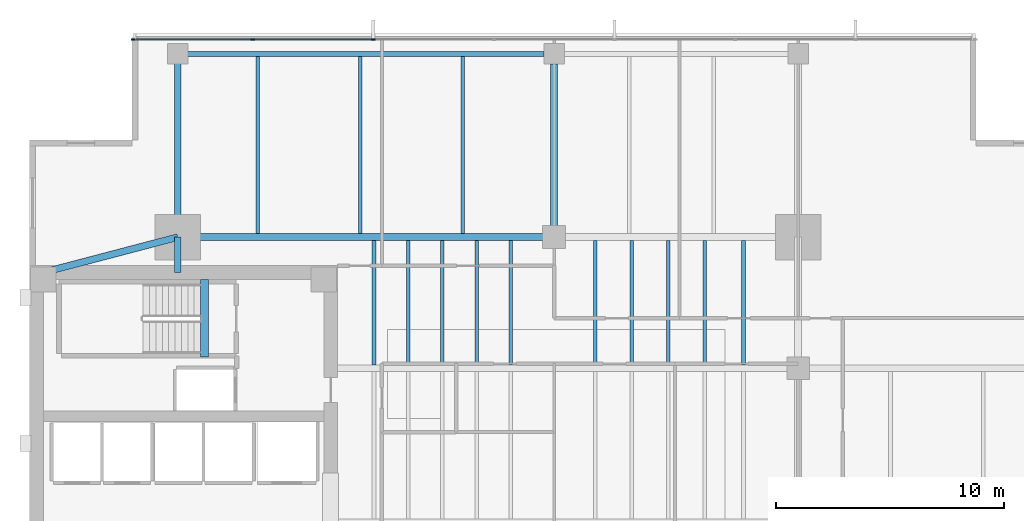
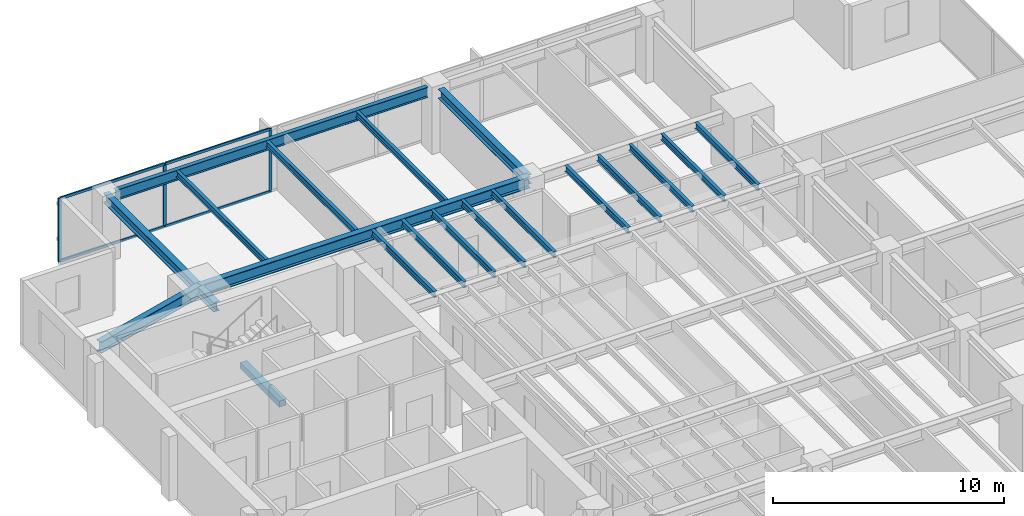
# One storey, part 5 of 14: 20 beams, 7 members, 1 element without a shape of its own.
"""IFC4 building model written with IfcOpenShell, lengths in metres."""

import ifcopenshell
import ifcopenshell.guid

model = None  # the IFC model being written
_history = None  # IfcOwnerHistory: only IFC2X3 demands one
_inside = {}  # id of a spatial element -> (the spatial element, [elements in it])
_under = {}  # id of a project, library or spatial element -> (it, [spatial elements below it])
_declared = {}  # id of a project -> (the project, [libraries it declares])
_typed = {}  # id of a type object -> (the type object, [elements of that type])
_made_of = {}  # id of a material, layer set ... -> (it, [elements and type objects made of it])


def new_model(schema):
    """Start an empty IFC model of exactly this schema.

    Asked for "IFC4X3", IfcOpenShell would pick the latest addendum, in which some entities
    have other attributes; the version numbers below select the first issue.
    IFC2X3 requires an IfcOwnerHistory on every rooted entity: one is made here for all.
    """
    global model, _history
    if schema == "IFC4X3":
        model = ifcopenshell.file(schema_version=(4, 3, 0, 0))
    else:
        model = ifcopenshell.file(schema=schema)
    _inside.clear()
    _under.clear()
    _declared.clear()
    _typed.clear()
    _made_of.clear()
    _history = None
    if model.schema == "IFC2X3":
        org = make("IfcOrganization", Name="unknown")
        user = make(
            "IfcPersonAndOrganization",
            ThePerson=make("IfcPerson", FamilyName="unknown"),
            TheOrganization=org,
        )
        app = make(
            "IfcApplication",
            ApplicationDeveloper=org,
            Version="unknown",
            ApplicationFullName="unknown",
            ApplicationIdentifier="unknown",
        )
        _history = make(
            "IfcOwnerHistory",
            OwningUser=user,
            OwningApplication=app,
            ChangeAction="ADDED",
            CreationDate=0,
        )
    return model


def make(cls, **values):
    """One entity of the class cls with the attributes given. An attribute that is None is left unset."""
    return model.create_entity(
        cls, **{name: value for name, value in values.items() if value is not None}
    )


def rooted(cls, **values):
    """An entity with a GlobalId (a new one), such as an element, a storey or a relation."""
    return make(cls, GlobalId=ifcopenshell.guid.new(), OwnerHistory=_history, **values)


def si_unit(unit_type, name, prefix=None):
    """IfcSIUnit, for example si_unit("LENGTHUNIT", "METRE", prefix="MILLI")."""
    return make("IfcSIUnit", UnitType=unit_type, Prefix=prefix, Name=name)


def assignment(units):
    """IfcUnitAssignment: the units of a project."""
    return None if units is None else make("IfcUnitAssignment", Units=units)


def point(xyz):
    """IfcCartesianPoint."""
    return None if xyz is None else make("IfcCartesianPoint", Coordinates=xyz)


def direction(xyz):
    """IfcDirection."""
    return None if xyz is None else make("IfcDirection", DirectionRatios=xyz)


def frame(location, z_axis=None, x_axis=None):
    """IfcAxis2Placement3D, a coordinate frame: its origin and axes. An axis left out is left unset."""
    return make(
        "IfcAxis2Placement3D",
        Location=point(location),
        Axis=direction(z_axis),
        RefDirection=direction(x_axis),
    )


def frame_2d(location, x_axis=None):
    """IfcAxis2Placement2D, a coordinate frame in the plane: its origin and x axis."""
    return make(
        "IfcAxis2Placement2D", Location=point(location), RefDirection=direction(x_axis)
    )


def origin():
    """The frame at (0, 0, 0) with its axes left unset."""
    return frame((0.0, 0.0, 0.0))


def origin_2d():
    """The frame at (0, 0) in the plane with its x axis left unset."""
    return frame_2d((0.0, 0.0))


def place(relative_to, where):
    """IfcLocalPlacement: puts the frame where relative to a parent placement (None: the world)."""
    return make(
        "IfcLocalPlacement", PlacementRelTo=relative_to, RelativePlacement=where
    )


def context(
    kind, dimensions, precision=None, world=None, true_north=None, identifier=None
):
    """IfcGeometricRepresentationContext, for example the 3D "Model" context."""
    return make(
        "IfcGeometricRepresentationContext",
        ContextIdentifier=identifier,
        ContextType=kind,
        CoordinateSpaceDimension=dimensions,
        Precision=precision,
        WorldCoordinateSystem=world,
        TrueNorth=true_north,
    )


def subcontext(parent, identifier, kind, view, scale=None):
    """IfcGeometricRepresentationSubContext, for example "Body" below "Model"."""
    return make(
        "IfcGeometricRepresentationSubContext",
        ContextIdentifier=identifier,
        ContextType=kind,
        ParentContext=parent,
        TargetScale=scale,
        TargetView=view,
    )


def project(units=None, contexts=None):
    """IfcProject with its units and contexts."""
    return rooted(
        "IfcProject",
        Name="project",
        RepresentationContexts=contexts,
        UnitsInContext=assignment(units),
    )


def spatial(cls, under=None, at=None, **own):
    """A site, building, storey or space (cls), placed at a placement, below another one or the project."""
    s = rooted(cls, ObjectPlacement=at, **own)
    if under is not None:
        _under.setdefault(under.id(), (under, []))[1].append(s)
    return s


def profile(cls, at=None, kind="AREA", **sizes):
    """A parametric profile (cls). Its sizes go by their IFC names, for example OverallWidth=200.0."""
    return make(cls, ProfileType=kind, Position=at, **sizes)


def rectangle(**sizes):
    """IfcRectangleProfileDef."""
    return profile("IfcRectangleProfileDef", **sizes)


def i_section(**sizes):
    """IfcIShapeProfileDef."""
    return profile("IfcIShapeProfileDef", **sizes)


def extrude(swept, where, along, depth):
    """IfcExtrudedAreaSolid: the profile swept, set in the frame where, extruded along a direction by depth."""
    return make(
        "IfcExtrudedAreaSolid",
        SweptArea=swept,
        Position=where,
        ExtrudedDirection=direction(along),
        Depth=depth,
    )


def shape(context_of_items, identifier, shape_type, items):
    """IfcShapeRepresentation: the items that make up one representation, for example the "Body"."""
    return make(
        "IfcShapeRepresentation",
        ContextOfItems=context_of_items,
        RepresentationIdentifier=identifier,
        RepresentationType=shape_type,
        Items=items,
    )


def material(Name=None, Category=None):
    """IfcMaterial."""
    return make("IfcMaterial", Name=Name, Category=Category)


def layer(
    of_material, thickness, ventilated=None, Name=None, Category=None, Priority=None
):
    """IfcMaterialLayer: one layer of a wall or slab, of a material (None: an air gap)."""
    return make(
        "IfcMaterialLayer",
        Material=of_material,
        LayerThickness=thickness,
        IsVentilated=ventilated,
        Name=Name,
        Category=Category,
        Priority=Priority,
    )


def layer_set(layers, Name=None):
    """IfcMaterialLayerSet."""
    return make("IfcMaterialLayerSet", MaterialLayers=layers, LayerSetName=Name)


def material_profile(
    of_material, cross_section, Name=None, Category=None, Priority=None
):
    """IfcMaterialProfile: a cross section and its material."""
    return make(
        "IfcMaterialProfile",
        Name=Name,
        Material=of_material,
        Profile=cross_section,
        Priority=Priority,
        Category=Category,
    )


def profile_set(profiles, Name=None, composite=None):
    """IfcMaterialProfileSet."""
    return make(
        "IfcMaterialProfileSet",
        Name=Name,
        MaterialProfiles=profiles,
        CompositeProfile=composite,
    )


def made_of(thing, what):
    """Note that an element or type object is made of a material, layer set ...; save() writes the relation."""
    if what is not None:
        _made_of.setdefault(what.id(), (what, []))[1].append(thing)
    return thing


def type_object(cls, material=None, **own):
    """A type object (cls), such as IfcWallType, which elements share."""
    return made_of(rooted(cls, **own), material)


def element(
    cls,
    number,
    at=None,
    inside=None,
    cuts=None,
    type_object=None,
    material=None,
    context=None,
    identifier="Body",
    shape_type=None,
    held_by="IfcProductDefinitionShape",
    body=None,
    shapes=None,
    **own,
):
    """One element of the class cls, such as IfcWall. Its Tag is "e" and its number.

    at: its placement. inside: the storey or other place that contains it. cuts: it is an
    opening in that element (IfcRelVoidsElement). A single representation is given by context,
    identifier, shape_type and body (its items); several are given by shapes. held_by: the class
    of the entity that holds the representations. save() writes the other relations.
    """
    e = rooted(cls, Tag="e%d" % number, ObjectPlacement=at, **own)
    if body is not None:
        shapes = [shape(context, identifier, shape_type, body)]
    if shapes is not None:
        e.Representation = make(held_by, Representations=shapes)
    if inside is not None:
        _inside.setdefault(inside.id(), (inside, []))[1].append(e)
    if cuts is not None:
        rooted(
            "IfcRelVoidsElement", RelatingBuildingElement=cuts, RelatedOpeningElement=e
        )
    if type_object is not None:
        _typed.setdefault(type_object.id(), (type_object, []))[1].append(e)
    return made_of(e, material)


def aggregate(whole, parts):
    """IfcRelAggregates: a whole, such as a stair, and the parts it consists of."""
    return rooted("IfcRelAggregates", RelatingObject=whole, RelatedObjects=parts)


def save(model, path):
    """Write the relations noted so far, then the file.

    IfcRelAggregates (storeys below a building ...), IfcRelContainedInSpatialStructure (elements
    in a storey), IfcRelDefinesByType, IfcRelAssociatesMaterial and IfcRelDeclares: one each for
    every whole, place, type object, material and project.
    """
    for whole, parts in _under.values():
        aggregate(whole, parts)
    for where, things in _inside.values():
        rooted(
            "IfcRelContainedInSpatialStructure",
            RelatedElements=things,
            RelatingStructure=where,
        )
    for kind, things in _typed.values():
        rooted("IfcRelDefinesByType", RelatedObjects=things, RelatingType=kind)
    for what, things in _made_of.values():
        rooted("IfcRelAssociatesMaterial", RelatedObjects=things, RelatingMaterial=what)
    for by, libraries in _declared.values():
        rooted("IfcRelDeclares", RelatingContext=by, RelatedDefinitions=libraries)
    model.write(path)


model = new_model("IFC4")

# Units and contexts
model_context = context("Model", 3, precision=1e-05, world=origin(), true_north=direction((0.0, 1.0)))
body_context = subcontext(model_context, "Body", "Model", "MODEL_VIEW")
ifc_project = project(units=[si_unit("LENGTHUNIT", "METRE"), si_unit("AREAUNIT", "SQUARE_METRE"), si_unit("VOLUMEUNIT", "CUBIC_METRE"), si_unit("PLANEANGLEUNIT", "RADIAN"), si_unit("MASSUNIT", "GRAM", prefix="KILO")], contexts=[model_context])

# Site, building, storey
site_placement = place(None, origin())
site = spatial("IfcSite", under=ifc_project, at=site_placement, CompositionType="ELEMENT")
building_placement = place(site_placement, origin())
building = spatial("IfcBuilding", under=site, at=building_placement, Name="Kinhvarn Gate Tower", CompositionType="ELEMENT")
storey_placement = place(building_placement, frame((0.0, 0.0, 123.550048828125)))
storey = spatial("IfcBuildingStorey", under=building, at=storey_placement, Name="L32", CompositionType="ELEMENT", Elevation=123.550048828125)

# Beam
ifc_material_1 = material(Name="Concrete C50/60", Category="concrete")
ifc_material_profile_1 = material_profile(ifc_material_1, rectangle(XDim=0.340087890625, YDim=0.320068359375, at=origin_2d()), Name="RC 340x320")
ifc_profile_set_1 = profile_set([ifc_material_profile_1], Name="Concrete C50/60")
beam_type_1 = type_object("IfcBeamType", Name="BM-LND-500", PredefinedType="BEAM", material=ifc_profile_set_1)
beam_1_placement = place(storey_placement, frame((12.1650390625, 32.5, -0.16015625), z_axis=(0.0, 1.0, 0.0), x_axis=(-1.0, 0.0, 0.0)))
element("IfcBeam", 1, at=beam_1_placement, inside=storey, type_object=beam_type_1, Name="Stair ST2 Landing Nosing Beam (L32)", PredefinedType="BEAM", context=body_context, shape_type="SweptSolid", body=[
    extrude(rectangle(XDim=0.340087890625, YDim=0.320068359375, at=origin_2d()), origin(), (0.0, 0.0, 1.0), 3.39990234375),
])

# Curtain wall, members
ifc_material_2 = material(Name="Anodised aluminium AW-6063", Category="aluminium")
ifc_layer = layer(ifc_material_2, 0.179931640625)
ifc_layer_set = layer_set([ifc_layer], Name="Anodised aluminium AW-6063")
curtain_wall_type = type_object("IfcCurtainWallType", Name="CW-SYS-3", PredefinedType="NOTDEFINED", material=ifc_layer_set)
curtain_wall_placement = place(storey_placement, origin())
curtain_wall = element("IfcCurtainWall", 2, at=curtain_wall_placement, inside=storey, type_object=curtain_wall_type, Name="Curtain Wall CW3 (L32)", PredefinedType="NOTDEFINED")
ifc_material_profile_2 = material_profile(ifc_material_2, rectangle(XDim=0.06494140625, YDim=0.159912109375, at=origin_2d()), Name="ALU 65x160")
ifc_profile_set_2 = profile_set([ifc_material_profile_2], Name="Anodised aluminium AW-6063")
member_type_1 = type_object("IfcMemberType", Name="CW-MUL-160", PredefinedType="MULLION", material=ifc_profile_set_2)
member_1_placement = place(storey_placement, frame((19.571533203125, 46.409912109375, 0.0), z_axis=(0.0, 0.0, 1.0), x_axis=(0.0, -1.0, 0.0)))
member_1 = element("IfcMember", 3, at=member_1_placement, type_object=member_type_1, Name="CW3 mullion 6", PredefinedType="MULLION", context=body_context, shape_type="SweptSolid", body=[
    extrude(rectangle(XDim=0.06494140625, YDim=0.159912109375, at=origin_2d()), origin(), (0.0, 0.0, 1.0), 3.369873046875),
])
member_2_placement = place(storey_placement, frame((14.28564453125, 46.409912109375, 0.0), z_axis=(0.0, 0.0, 1.0), x_axis=(0.0, -1.0, 0.0)))
member_2 = element("IfcMember", 4, at=member_2_placement, type_object=member_type_1, Name="CW3 mullion 7", PredefinedType="MULLION", context=body_context, shape_type="SweptSolid", body=[
    extrude(rectangle(XDim=0.06494140625, YDim=0.159912109375, at=origin_2d()), origin(), (0.0, 0.0, 1.0), 3.369873046875),
])
member_3_placement = place(storey_placement, frame((9.032470703125, 46.409912109375, 0.0), z_axis=(0.0, 0.0, 1.0), x_axis=(0.0, -1.0, 0.0)))
member_3 = element("IfcMember", 5, at=member_3_placement, type_object=member_type_1, Name="CW3 mullion 8", PredefinedType="MULLION", context=body_context, shape_type="SweptSolid", body=[
    extrude(rectangle(XDim=0.06494140625, YDim=0.159912109375, at=origin_2d()), origin(), (0.0, 0.0, 1.0), 3.369873046875),
])
ifc_material_profile_3 = material_profile(ifc_material_2, rectangle(XDim=0.070068359375, YDim=0.139892578125, at=origin_2d()), Name="ALU 70x140")
ifc_profile_set_3 = profile_set([ifc_material_profile_3], Name="Anodised aluminium AW-6063")
member_type_2 = type_object("IfcMemberType", Name="CW-TRN-140", PredefinedType="USERDEFINED", material=ifc_profile_set_3)
member_4_placement = place(storey_placement, frame((19.538818359375, 46.409912109375, 0.034912109375), z_axis=(-1.0, 0.0, 0.0), x_axis=(0.0, -1.0, 0.0)))
member_4 = element("IfcMember", 6, at=member_4_placement, type_object=member_type_2, Name="CW3 transom 6.1", ObjectType="TRANSOM", PredefinedType="USERDEFINED", context=body_context, shape_type="SweptSolid", body=[
    extrude(rectangle(XDim=0.070068359375, YDim=0.139892578125, at=origin_2d()), origin(), (0.0, 0.0, 1.0), 5.220703125),
])
member_5_placement = place(storey_placement, frame((19.538818359375, 46.409912109375, 3.3349609375), z_axis=(-1.0, 0.0, 0.0), x_axis=(0.0, -1.0, 0.0)))
member_5 = element("IfcMember", 7, at=member_5_placement, type_object=member_type_2, Name="CW3 transom 6.2", ObjectType="TRANSOM", PredefinedType="USERDEFINED", context=body_context, shape_type="SweptSolid", body=[
    extrude(rectangle(XDim=0.070068359375, YDim=0.139892578125, at=origin_2d()), origin(), (0.0, 0.0, 1.0), 5.220703125),
])
member_6_placement = place(storey_placement, frame((14.253173828125, 46.409912109375, 0.034912109375), z_axis=(-1.0, 0.0, 0.0), x_axis=(0.0, -1.0, 0.0)))
member_6 = element("IfcMember", 8, at=member_6_placement, type_object=member_type_2, Name="CW3 transom 7.1", ObjectType="TRANSOM", PredefinedType="USERDEFINED", context=body_context, shape_type="SweptSolid", body=[
    extrude(rectangle(XDim=0.070068359375, YDim=0.139892578125, at=origin_2d()), origin(), (0.0, 0.0, 1.0), 5.188232421875),
])
member_7_placement = place(storey_placement, frame((14.253173828125, 46.409912109375, 3.3349609375), z_axis=(-1.0, 0.0, 0.0), x_axis=(0.0, -1.0, 0.0)))
member_7 = element("IfcMember", 9, at=member_7_placement, type_object=member_type_2, Name="CW3 transom 7.2", ObjectType="TRANSOM", PredefinedType="USERDEFINED", context=body_context, shape_type="SweptSolid", body=[
    extrude(rectangle(XDim=0.070068359375, YDim=0.139892578125, at=origin_2d()), origin(), (0.0, 0.0, 1.0), 5.188232421875),
])
aggregate(curtain_wall, [member_1, member_2, member_3, member_4, member_5, member_6, member_7])

# Beams
ifc_material_3 = material(Name="Steel S355", Category="steel")
ifc_material_profile_4 = material_profile(ifc_material_3, i_section(OverallWidth=0.300048828125, OverallDepth=0.5, WebThickness=0.014404296875, FlangeThickness=0.028076171875, at=origin_2d()), Name="HEB 500")
ifc_profile_set_4 = profile_set([ifc_material_profile_4], Name="Steel S355")
beam_type_2 = type_object("IfcBeamType", Name="STL-HEB500", PredefinedType="BEAM", material=ifc_profile_set_4)
beam_2_placement = place(storey_placement, frame((11.0, 36.199951171875, 3.119873046875), z_axis=(0.0, 1.0, 0.0), x_axis=(-1.0, 0.0, 0.0)))
element("IfcBeam", 10, at=beam_2_placement, inside=storey, type_object=beam_type_2, Name="Floor Beam PG-14 (L32 MCW-CN)", PredefinedType="BEAM", context=body_context, shape_type="SweptSolid", body=[
    extrude(i_section(OverallWidth=0.300048828125, OverallDepth=0.5, WebThickness=0.014404296875, FlangeThickness=0.028076171875, at=origin_2d()), origin(), (0.0, 0.0, 1.0), 1.550048828125),
])
beam_3_placement = place(storey_placement, frame((11.0, 37.75, 3.119873046875), z_axis=(0.0, 1.0, 0.0), x_axis=(-1.0, 0.0, 0.0)))
element("IfcBeam", 11, at=beam_3_placement, inside=storey, type_object=beam_type_2, Name="Floor Beam PG-14 (L32 MCW-N)", PredefinedType="BEAM", context=body_context, shape_type="SweptSolid", body=[
    extrude(i_section(OverallWidth=0.300048828125, OverallDepth=0.5, WebThickness=0.014404296875, FlangeThickness=0.028076171875, at=origin_2d()), origin(), (0.0, 0.0, 1.0), 8.030029296875),
])
beam_4_placement = place(storey_placement, frame((27.5, 37.75, 3.119873046875), z_axis=(0.0, 1.0, 0.0), x_axis=(-1.0, 0.0, 0.0)))
element("IfcBeam", 12, at=beam_4_placement, inside=storey, type_object=beam_type_2, Name="Floor Beam PG-14 (L32 SP27-N-TIE)", PredefinedType="BEAM", context=body_context, shape_type="SweptSolid", body=[
    extrude(i_section(OverallWidth=0.300048828125, OverallDepth=0.5, WebThickness=0.014404296875, FlangeThickness=0.028076171875, at=origin_2d()), origin(), (0.0, 0.0, 1.0), 7.594970703125),
])
ifc_material_profile_5 = material_profile(ifc_material_3, i_section(OverallWidth=0.300048828125, OverallDepth=0.60009765625, WebThickness=0.015380859375, FlangeThickness=0.030029296875, at=origin_2d()), Name="HEB 600")
ifc_profile_set_5 = profile_set([ifc_material_profile_5], Name="Steel S355")
beam_type_3 = type_object("IfcBeamType", Name="STL-HEB600", PredefinedType="BEAM", material=ifc_profile_set_5)
beam_5_placement = place(storey_placement, frame((11.0, 37.75, 3.070068359375), z_axis=(1.0, 0.0, 0.0), x_axis=(0.0, 1.0, 0.0)))
element("IfcBeam", 13, at=beam_5_placement, inside=storey, type_object=beam_type_3, Name="Floor Beam PG-16 (L32 MG-N1)", PredefinedType="BEAM", context=body_context, shape_type="SweptSolid", body=[
    extrude(i_section(OverallWidth=0.300048828125, OverallDepth=0.60009765625, WebThickness=0.015380859375, FlangeThickness=0.030029296875, at=origin_2d()), origin(), (0.0, 0.0, 1.0), 16.5),
])
beam_6_placement = place(storey_placement, frame((5.10009765625, 36.199951171875, 3.070068359375), z_axis=(0.967177623957, 0.254101246979, 0.0), x_axis=(-0.254101246979, 0.967177623957, 0.0)))
element("IfcBeam", 14, at=beam_6_placement, inside=storey, type_object=beam_type_3, Name="Floor Beam PG-16 (L32 MG-NW-DIAG)", PredefinedType="BEAM", context=body_context, shape_type="SweptSolid", body=[
    extrude(i_section(OverallWidth=0.300048828125, OverallDepth=0.60009765625, WebThickness=0.015380859375, FlangeThickness=0.030029296875, at=origin_2d()), origin(), (0.0, 0.0, 1.0), 6.10009765625),
])
ifc_material_profile_6 = material_profile(ifc_material_3, i_section(OverallWidth=0.159912109375, OverallDepth=0.330078125, WebThickness=0.007568359375, FlangeThickness=0.011474609375, at=origin_2d()), Name="IPE 330")
ifc_profile_set_6 = profile_set([ifc_material_profile_6], Name="Steel S355")
beam_type_4 = type_object("IfcBeamType", Name="STL-IPE330", PredefinedType="JOIST", material=ifc_profile_set_6)
for number, where, z_axis, x_axis, name in (
    (15, (19.60009765625, 32.14990234375, 3.204833984375), (0.0, 1.0, 0.0), (-1.0, 0.0, 0.0), "Floor Joist SB-03 (L32 JC-X196-3)"),
    (16, (21.10009765625, 32.14990234375, 3.204833984375), (0.0, 1.0, 0.0), (-1.0, 0.0, 0.0), "Floor Joist SB-03 (L32 JC-X211-3)"),
    (17, (22.60009765625, 32.14990234375, 3.204833984375), (0.0, 1.0, 0.0), (-1.0, 0.0, 0.0), "Floor Joist SB-03 (L32 JC-X226-3)"),
    (18, (24.10009765625, 32.14990234375, 3.204833984375), (0.0, 1.0, 0.0), (-1.0, 0.0, 0.0), "Floor Joist SB-03 (L32 JC-X241-3)"),
    (19, (25.60009765625, 32.14990234375, 3.204833984375), (0.0, 1.0, 0.0), (-1.0, 0.0, 0.0), "Floor Joist SB-03 (L32 JC-X256-3)"),
    (20, (29.300048828125, 32.14990234375, 3.204833984375), (0.0, 1.0, 0.0), (-1.0, 0.0, 0.0), "Floor Joist SB-03 (L32 JC-X293-3)"),
    (21, (30.89990234375, 32.14990234375, 3.204833984375), (0.0, 1.0, 0.0), (-1.0, 0.0, 0.0), "Floor Joist SB-03 (L32 JC-X309-3)"),
    (22, (32.5, 32.14990234375, 3.204833984375), (0.0, 1.0, 0.0), (-1.0, 0.0, 0.0), "Floor Joist SB-03 (L32 JC-X325-3)"),
    (23, (34.10009765625, 32.14990234375, 3.204833984375), (0.0, 1.0, 0.0), (-1.0, 0.0, 0.0), "Floor Joist SB-03 (L32 JC-X341-3)"),
    (24, (35.800048828125, 32.14990234375, 3.204833984375), (0.0, 1.0, 0.0), (-1.0, 0.0, 0.0), "Floor Joist SB-03 (L32 JC-X358-3)"),
):
    element("IfcBeam", number, at=place(storey_placement, frame(where, z_axis=z_axis, x_axis=x_axis)), inside=storey, type_object=beam_type_4, Name=name, PredefinedType="JOIST", context=body_context, shape_type="SweptSolid", body=[
        extrude(i_section(OverallWidth=0.159912109375, OverallDepth=0.330078125, WebThickness=0.007568359375, FlangeThickness=0.011474609375, at=origin_2d()), origin(), (0.0, 0.0, 1.0), 5.4501953125),
    ])
for number, where, z_axis, x_axis, name in (
    (25, (14.5, 37.89990234375, 3.204833984375), (0.0, 1.0, 0.0), (-1.0, 0.0, 0.0), "Floor Joist SB-03 (L32 JN-X145)"),
    (26, (19.0, 37.89990234375, 3.204833984375), (0.0, 1.0, 0.0), (-1.0, 0.0, 0.0), "Floor Joist SB-03 (L32 JN-X190)"),
    (27, (23.5, 37.89990234375, 3.204833984375), (0.0, 1.0, 0.0), (-1.0, 0.0, 0.0), "Floor Joist SB-03 (L32 JN-X235)"),
):
    element("IfcBeam", number, at=place(storey_placement, frame(where, z_axis=z_axis, x_axis=x_axis)), inside=storey, type_object=beam_type_4, Name=name, PredefinedType="JOIST", context=body_context, shape_type="SweptSolid", body=[
        extrude(i_section(OverallWidth=0.159912109375, OverallDepth=0.330078125, WebThickness=0.007568359375, FlangeThickness=0.011474609375, at=origin_2d()), origin(), (0.0, 0.0, 1.0), 7.775146484375),
    ])
ifc_material_profile_7 = material_profile(ifc_material_3, i_section(OverallWidth=0.2099609375, OverallDepth=0.550048828125, WebThickness=0.010986328125, FlangeThickness=0.01708984375, at=origin_2d()), Name="IPE 550")
ifc_profile_set_7 = profile_set([ifc_material_profile_7], Name="Steel S355")
beam_type_5 = type_object("IfcBeamType", Name="STL-IPE550", PredefinedType="SPANDREL", material=ifc_profile_set_7)
beam_7_placement = place(storey_placement, frame((11.43505859375, 45.780029296875, 3.094970703125), z_axis=(1.0, 0.0, 0.0), x_axis=(0.0, 1.0, 0.0)))
element("IfcBeam", 28, at=beam_7_placement, inside=storey, type_object=beam_type_5, Name="Floor Spandrel SB-08 (L32 SP-N1)", PredefinedType="SPANDREL", context=body_context, shape_type="SweptSolid", body=[
    extrude(i_section(OverallWidth=0.2099609375, OverallDepth=0.550048828125, WebThickness=0.010986328125, FlangeThickness=0.01708984375, at=origin_2d()), origin(), (0.0, 0.0, 1.0), 15.6298828125),
])

save(model, "model.ifc")
